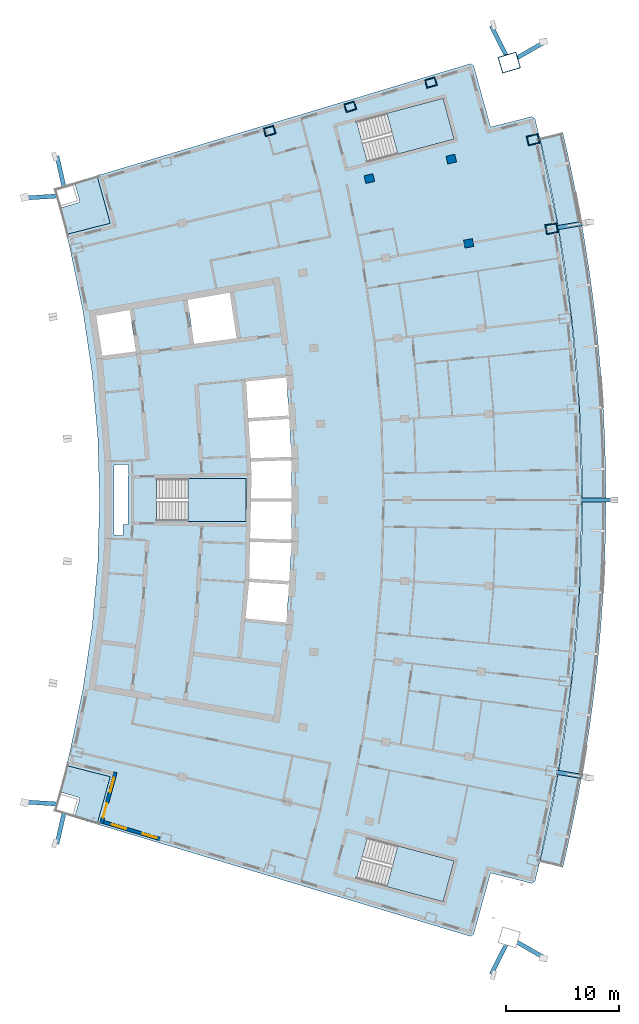
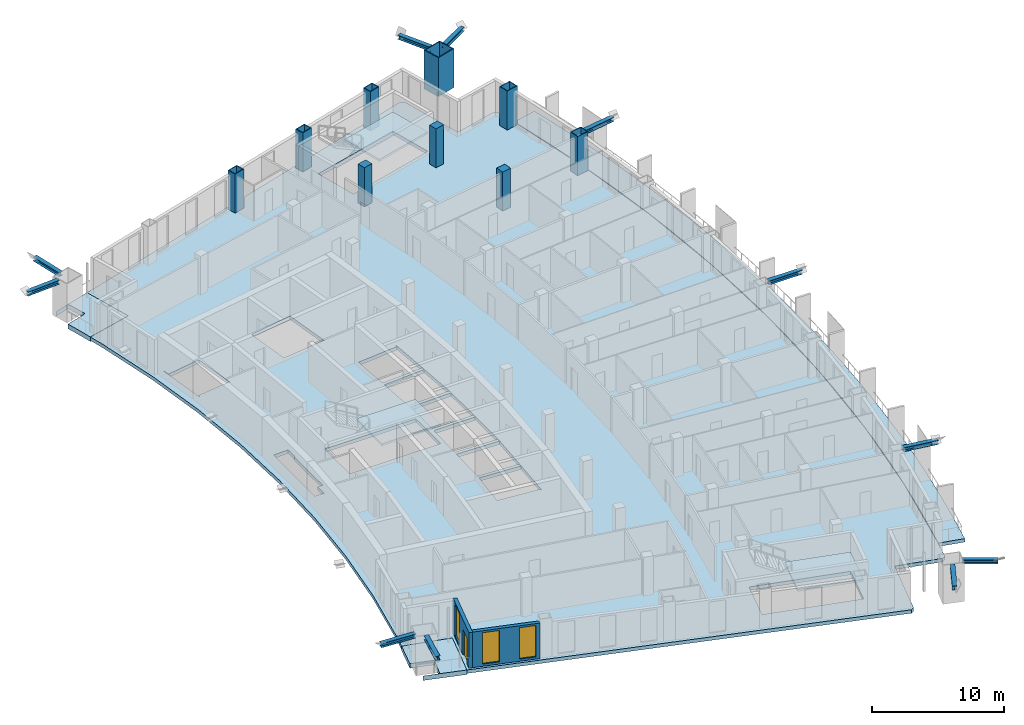
# One storey, part 8 of 21: 11 members, 9 columns, 7 slabs, 3 windows, 2 walls, 1 door, 4 openings, 3 elements without a shape of their own.
"""IFC4 building model written with IfcOpenShell, lengths in metres."""

import ifcopenshell
import ifcopenshell.guid

model = None  # the IFC model being written
_history = None  # IfcOwnerHistory: only IFC2X3 demands one
_inside = {}  # id of a spatial element -> (the spatial element, [elements in it])
_under = {}  # id of a project, library or spatial element -> (it, [spatial elements below it])
_declared = {}  # id of a project -> (the project, [libraries it declares])
_typed = {}  # id of a type object -> (the type object, [elements of that type])
_made_of = {}  # id of a material, layer set ... -> (it, [elements and type objects made of it])


def new_model(schema):
    """Start an empty IFC model of exactly this schema.

    Asked for "IFC4X3", IfcOpenShell would pick the latest addendum, in which some entities
    have other attributes; the version numbers below select the first issue.
    IFC2X3 requires an IfcOwnerHistory on every rooted entity: one is made here for all.
    """
    global model, _history
    if schema == "IFC4X3":
        model = ifcopenshell.file(schema_version=(4, 3, 0, 0))
    else:
        model = ifcopenshell.file(schema=schema)
    _inside.clear()
    _under.clear()
    _declared.clear()
    _typed.clear()
    _made_of.clear()
    _history = None
    if model.schema == "IFC2X3":
        org = make("IfcOrganization", Name="unknown")
        user = make(
            "IfcPersonAndOrganization",
            ThePerson=make("IfcPerson", FamilyName="unknown"),
            TheOrganization=org,
        )
        app = make(
            "IfcApplication",
            ApplicationDeveloper=org,
            Version="unknown",
            ApplicationFullName="unknown",
            ApplicationIdentifier="unknown",
        )
        _history = make(
            "IfcOwnerHistory",
            OwningUser=user,
            OwningApplication=app,
            ChangeAction="ADDED",
            CreationDate=0,
        )
    return model


def make(cls, **values):
    """One entity of the class cls with the attributes given. An attribute that is None is left unset."""
    return model.create_entity(
        cls, **{name: value for name, value in values.items() if value is not None}
    )


def rooted(cls, **values):
    """An entity with a GlobalId (a new one), such as an element, a storey or a relation."""
    return make(cls, GlobalId=ifcopenshell.guid.new(), OwnerHistory=_history, **values)


def si_unit(unit_type, name, prefix=None):
    """IfcSIUnit, for example si_unit("LENGTHUNIT", "METRE", prefix="MILLI")."""
    return make("IfcSIUnit", UnitType=unit_type, Prefix=prefix, Name=name)


def assignment(units):
    """IfcUnitAssignment: the units of a project."""
    return None if units is None else make("IfcUnitAssignment", Units=units)


def point(xyz):
    """IfcCartesianPoint."""
    return None if xyz is None else make("IfcCartesianPoint", Coordinates=xyz)


def direction(xyz):
    """IfcDirection."""
    return None if xyz is None else make("IfcDirection", DirectionRatios=xyz)


def frame(location, z_axis=None, x_axis=None):
    """IfcAxis2Placement3D, a coordinate frame: its origin and axes. An axis left out is left unset."""
    return make(
        "IfcAxis2Placement3D",
        Location=point(location),
        Axis=direction(z_axis),
        RefDirection=direction(x_axis),
    )


def frame_2d(location, x_axis=None):
    """IfcAxis2Placement2D, a coordinate frame in the plane: its origin and x axis."""
    return make(
        "IfcAxis2Placement2D", Location=point(location), RefDirection=direction(x_axis)
    )


def origin():
    """The frame at (0, 0, 0) with its axes left unset."""
    return frame((0.0, 0.0, 0.0))


def origin_2d():
    """The frame at (0, 0) in the plane with its x axis left unset."""
    return frame_2d((0.0, 0.0))


def place(relative_to, where):
    """IfcLocalPlacement: puts the frame where relative to a parent placement (None: the world)."""
    return make(
        "IfcLocalPlacement", PlacementRelTo=relative_to, RelativePlacement=where
    )


def context(
    kind, dimensions, precision=None, world=None, true_north=None, identifier=None
):
    """IfcGeometricRepresentationContext, for example the 3D "Model" context."""
    return make(
        "IfcGeometricRepresentationContext",
        ContextIdentifier=identifier,
        ContextType=kind,
        CoordinateSpaceDimension=dimensions,
        Precision=precision,
        WorldCoordinateSystem=world,
        TrueNorth=true_north,
    )


def subcontext(parent, identifier, kind, view, scale=None):
    """IfcGeometricRepresentationSubContext, for example "Body" below "Model"."""
    return make(
        "IfcGeometricRepresentationSubContext",
        ContextIdentifier=identifier,
        ContextType=kind,
        ParentContext=parent,
        TargetScale=scale,
        TargetView=view,
    )


def project(units=None, contexts=None):
    """IfcProject with its units and contexts."""
    return rooted(
        "IfcProject",
        Name="project",
        RepresentationContexts=contexts,
        UnitsInContext=assignment(units),
    )


def spatial(cls, under=None, at=None, **own):
    """A site, building, storey or space (cls), placed at a placement, below another one or the project."""
    s = rooted(cls, ObjectPlacement=at, **own)
    if under is not None:
        _under.setdefault(under.id(), (under, []))[1].append(s)
    return s


def polyline(points):
    """IfcPolyline through the points."""
    return make("IfcPolyline", Points=[point(p) for p in points])


def profile(cls, at=None, kind="AREA", **sizes):
    """A parametric profile (cls). Its sizes go by their IFC names, for example OverallWidth=200.0."""
    return make(cls, ProfileType=kind, Position=at, **sizes)


def rectangle(**sizes):
    """IfcRectangleProfileDef."""
    return profile("IfcRectangleProfileDef", **sizes)


def hollow_rectangle(**sizes):
    """IfcRectangleHollowProfileDef."""
    return profile("IfcRectangleHollowProfileDef", **sizes)


def i_section(**sizes):
    """IfcIShapeProfileDef."""
    return profile("IfcIShapeProfileDef", **sizes)


def outline(outer, holes=None, kind="AREA"):
    """IfcArbitraryClosedProfileDef: a profile drawn as a closed curve; with holes, ...WithVoids."""
    if holes is None:
        return make("IfcArbitraryClosedProfileDef", ProfileType=kind, OuterCurve=outer)
    return make(
        "IfcArbitraryProfileDefWithVoids",
        ProfileType=kind,
        OuterCurve=outer,
        InnerCurves=holes,
    )


def extrude(swept, where, along, depth):
    """IfcExtrudedAreaSolid: the profile swept, set in the frame where, extruded along a direction by depth."""
    return make(
        "IfcExtrudedAreaSolid",
        SweptArea=swept,
        Position=where,
        ExtrudedDirection=direction(along),
        Depth=depth,
    )


def shape(context_of_items, identifier, shape_type, items):
    """IfcShapeRepresentation: the items that make up one representation, for example the "Body"."""
    return make(
        "IfcShapeRepresentation",
        ContextOfItems=context_of_items,
        RepresentationIdentifier=identifier,
        RepresentationType=shape_type,
        Items=items,
    )


def material(Name=None, Category=None):
    """IfcMaterial."""
    return make("IfcMaterial", Name=Name, Category=Category)


def layer(
    of_material, thickness, ventilated=None, Name=None, Category=None, Priority=None
):
    """IfcMaterialLayer: one layer of a wall or slab, of a material (None: an air gap)."""
    return make(
        "IfcMaterialLayer",
        Material=of_material,
        LayerThickness=thickness,
        IsVentilated=ventilated,
        Name=Name,
        Category=Category,
        Priority=Priority,
    )


def layer_set(layers, Name=None):
    """IfcMaterialLayerSet."""
    return make("IfcMaterialLayerSet", MaterialLayers=layers, LayerSetName=Name)


def material_profile(
    of_material, cross_section, Name=None, Category=None, Priority=None
):
    """IfcMaterialProfile: a cross section and its material."""
    return make(
        "IfcMaterialProfile",
        Name=Name,
        Material=of_material,
        Profile=cross_section,
        Priority=Priority,
        Category=Category,
    )


def profile_set(profiles, Name=None, composite=None):
    """IfcMaterialProfileSet."""
    return make(
        "IfcMaterialProfileSet",
        Name=Name,
        MaterialProfiles=profiles,
        CompositeProfile=composite,
    )


def made_of(thing, what):
    """Note that an element or type object is made of a material, layer set ...; save() writes the relation."""
    if what is not None:
        _made_of.setdefault(what.id(), (what, []))[1].append(thing)
    return thing


def type_object(cls, material=None, **own):
    """A type object (cls), such as IfcWallType, which elements share."""
    return made_of(rooted(cls, **own), material)


def element(
    cls,
    number,
    at=None,
    inside=None,
    cuts=None,
    type_object=None,
    material=None,
    context=None,
    identifier="Body",
    shape_type=None,
    held_by="IfcProductDefinitionShape",
    body=None,
    shapes=None,
    **own,
):
    """One element of the class cls, such as IfcWall. Its Tag is "e" and its number.

    at: its placement. inside: the storey or other place that contains it. cuts: it is an
    opening in that element (IfcRelVoidsElement). A single representation is given by context,
    identifier, shape_type and body (its items); several are given by shapes. held_by: the class
    of the entity that holds the representations. save() writes the other relations.
    """
    e = rooted(cls, Tag="e%d" % number, ObjectPlacement=at, **own)
    if body is not None:
        shapes = [shape(context, identifier, shape_type, body)]
    if shapes is not None:
        e.Representation = make(held_by, Representations=shapes)
    if inside is not None:
        _inside.setdefault(inside.id(), (inside, []))[1].append(e)
    if cuts is not None:
        rooted(
            "IfcRelVoidsElement", RelatingBuildingElement=cuts, RelatedOpeningElement=e
        )
    if type_object is not None:
        _typed.setdefault(type_object.id(), (type_object, []))[1].append(e)
    return made_of(e, material)


def fill(opening, filler):
    """IfcRelFillsElement: the door or window that sits in an opening."""
    return rooted(
        "IfcRelFillsElement",
        RelatingOpeningElement=opening,
        RelatedBuildingElement=filler,
    )


def aggregate(whole, parts):
    """IfcRelAggregates: a whole, such as a stair, and the parts it consists of."""
    return rooted("IfcRelAggregates", RelatingObject=whole, RelatedObjects=parts)


def save(model, path):
    """Write the relations noted so far, then the file.

    IfcRelAggregates (storeys below a building ...), IfcRelContainedInSpatialStructure (elements
    in a storey), IfcRelDefinesByType, IfcRelAssociatesMaterial and IfcRelDeclares: one each for
    every whole, place, type object, material and project.
    """
    for whole, parts in _under.values():
        aggregate(whole, parts)
    for where, things in _inside.values():
        rooted(
            "IfcRelContainedInSpatialStructure",
            RelatedElements=things,
            RelatingStructure=where,
        )
    for kind, things in _typed.values():
        rooted("IfcRelDefinesByType", RelatedObjects=things, RelatingType=kind)
    for what, things in _made_of.values():
        rooted("IfcRelAssociatesMaterial", RelatedObjects=things, RelatingMaterial=what)
    for by, libraries in _declared.values():
        rooted("IfcRelDeclares", RelatingContext=by, RelatedDefinitions=libraries)
    model.write(path)


model = new_model("IFC4")

# Units and contexts
model_context = context("Model", 3, precision=1e-05, world=origin(), true_north=direction((0.0, 1.0)))
body_context = subcontext(model_context, "Body", "Model", "MODEL_VIEW")
ifc_project = project(units=[si_unit("LENGTHUNIT", "METRE"), si_unit("AREAUNIT", "SQUARE_METRE"), si_unit("VOLUMEUNIT", "CUBIC_METRE"), si_unit("PLANEANGLEUNIT", "RADIAN"), si_unit("MASSUNIT", "GRAM", prefix="KILO")], contexts=[model_context])

# Site, building, storey
site_placement = place(None, origin())
site = spatial("IfcSite", under=ifc_project, at=site_placement, CompositionType="ELEMENT")
building_placement = place(site_placement, origin())
building = spatial("IfcBuilding", under=site, at=building_placement, Name="Alderwake Tower", CompositionType="ELEMENT")
storey_placement = place(building_placement, frame((0.0, 0.0, 207.199951171875)))
storey = spatial("IfcBuildingStorey", under=building, at=storey_placement, Name="L51", CompositionType="ELEMENT", Elevation=207.199951171875)

# Columns
ifc_material_1 = material(Name="Steel ASTM A572 Grade 50 concrete filled C70/85", Category="concrete")
ifc_material_profile_1 = material_profile(ifc_material_1, hollow_rectangle(XDim=0.75, YDim=0.949951171875, WallThickness=0.054931640625, at=origin_2d()), Name="BOX 950X750X55")
ifc_profile_set_1 = profile_set([ifc_material_profile_1], Name="Steel ASTM A572 Grade 50 concrete filled C70/85")
column_type_1 = type_object("IfcColumnType", Name="End column Z4", PredefinedType="COLUMN", material=ifc_profile_set_1)
for number, where, z_axis, x_axis, name in (
    (1, (31.080322265625, 93.72314453125, 0.0), (0.0, 0.0, 1.0), (-0.282582549822, 0.959242984095, 0.0), "Column R12-C2"),
    (2, (38.231689453125, 95.8701171875, 0.0), (0.0, 0.0, 1.0), (-0.282883890943, 0.959154160834, 0.0), "Column R12-C3"),
    (3, (45.383056640625, 98.01708984375, 0.0), (0.0, 0.0, 1.0), (-0.283150052378, 0.959075621543, 0.0), "Column R12-C4"),
):
    element("IfcColumn", number, at=place(storey_placement, frame(where, z_axis=z_axis, x_axis=x_axis)), inside=storey, type_object=column_type_1, Name=name, PredefinedType="COLUMN", context=body_context, shape_type="SweptSolid", body=[
        extrude(hollow_rectangle(XDim=0.75, YDim=0.949951171875, WallThickness=0.054931640625, at=origin_2d()), origin(), (0.0, 0.0, 1.0), 3.60009765625),
    ])
ifc_material_2 = material(Name="Concrete C70/85", Category="concrete")
ifc_material_profile_2 = material_profile(ifc_material_2, rectangle(XDim=0.699951171875, YDim=0.800048828125, at=origin_2d()), Name="RC 800X700")
ifc_profile_set_2 = profile_set([ifc_material_profile_2], Name="Concrete C70/85")
column_type_2 = type_object("IfcColumnType", Name="Interior column Z4", PredefinedType="COLUMN", material=ifc_profile_set_2)
for number, where, z_axis, x_axis, name in (
    (4, (48.736572265625, 83.76171875, 0.0), (0.0, 0.0, 1.0), (-0.174107082075, 0.984726725529, 0.0), "Column R10-C4"),
    (5, (39.92626953125, 89.501953125, 0.0), (0.0, 0.0, 1.0), (-0.231221547198, 0.972901123502, 0.0), "Column R11-C3"),
    (6, (47.190673828125, 91.228515625, 0.0), (0.0, 0.0, 1.0), (-0.231221547198, 0.972901123502, 0.0), "Column R11-C4"),
):
    element("IfcColumn", number, at=place(storey_placement, frame(where, z_axis=z_axis, x_axis=x_axis)), inside=storey, type_object=column_type_2, Name=name, PredefinedType="COLUMN", context=body_context, shape_type="SweptSolid", body=[
        extrude(rectangle(XDim=0.699951171875, YDim=0.800048828125, at=origin_2d()), origin(), (0.0, 0.0, 1.0), 3.60009765625),
    ])
ifc_material_3 = material(Name="Steel ASTM A572 Grade 50 concrete filled C70/85", Category="concrete")
ifc_material_profile_3 = material_profile(ifc_material_3, hollow_rectangle(XDim=1.5, YDim=1.699951171875, WallThickness=0.074951171875, at=origin_2d()), Name="BOX 1700X1500X75")
ifc_profile_set_3 = profile_set([ifc_material_profile_3], Name="Steel ASTM A572 Grade 50 concrete filled C70/85")
column_type_3 = type_object("IfcColumnType", Name="Mega column Z4", PredefinedType="COLUMN", material=ifc_profile_set_3)
column_placement = place(storey_placement, frame((52.331298828125, 99.7919921875, 0.0), z_axis=(0.0, 0.0, 1.0), x_axis=(-0.281304888972, 0.959618444717, 0.0)))
element("IfcColumn", 7, at=column_placement, inside=storey, type_object=column_type_3, Name="Column R12-C5", PredefinedType="COLUMN", context=body_context, shape_type="SweptSolid", body=[
    extrude(hollow_rectangle(XDim=1.5, YDim=1.699951171875, WallThickness=0.074951171875, at=origin_2d()), origin(), (0.0, 0.0, 1.0), 3.60009765625),
])
ifc_material_4 = material(Name="Steel ASTM A572 Grade 50 concrete filled C70/85", Category="concrete")
ifc_material_profile_4 = material_profile(ifc_material_4, hollow_rectangle(XDim=0.85009765625, YDim=1.050048828125, WallThickness=0.054931640625, at=origin_2d()), Name="BOX 1050X850X55")
ifc_profile_set_4 = profile_set([ifc_material_profile_4], Name="Steel ASTM A572 Grade 50 concrete filled C70/85")
column_type_4 = type_object("IfcColumnType", Name="Perimeter column Z4", PredefinedType="COLUMN", material=ifc_profile_set_4)
for number, where, z_axis, x_axis, name in (
    (8, (56.089111328125, 85.061767578125, 0.0), (0.0, 0.0, 1.0), (-0.174107082075, 0.984726725529, 0.0), "Column R10-C5"),
    (9, (54.454833984375, 92.954833984375, 0.0), (0.0, 0.0, 1.0), (-0.231221547198, 0.972901123502, 0.0), "Column R11-C5"),
):
    element("IfcColumn", number, at=place(storey_placement, frame(where, z_axis=z_axis, x_axis=x_axis)), inside=storey, type_object=column_type_4, Name=name, PredefinedType="COLUMN", context=body_context, shape_type="SweptSolid", body=[
        extrude(hollow_rectangle(XDim=0.85009765625, YDim=1.050048828125, WallThickness=0.054931640625, at=origin_2d()), origin(), (0.0, 0.0, 1.0), 3.60009765625),
    ])

# Members
ifc_material_5 = material(Name="Steel ASTM A992 Grade 50", Category="steel")
ifc_material_profile_5 = material_profile(ifc_material_5, i_section(OverallWidth=0.3740234375, OverallDepth=0.372314453125, WebThickness=0.016357421875, FlangeThickness=0.026123046875, at=origin_2d()), Name="W14X132")
ifc_profile_set_5 = profile_set([ifc_material_profile_5], Name="Steel ASTM A992 Grade 50")
member_type = type_object("IfcMemberType", Name="Brace node stub W14X132", PredefinedType="MEMBER", material=ifc_profile_set_5)
member_1_placement = place(storey_placement, frame((56.556884765625, 36.855712890625, 3.393798828125), z_axis=(0.98591447773, -0.167250239467, 0.0), x_axis=(0.167250239467, 0.98591447773, 0.0)))
element("IfcMember", 10, at=member_1_placement, inside=storey, type_object=member_type, Name="Brace node stub BS.FR04-C5.2108", PredefinedType="MEMBER", context=body_context, shape_type="SweptSolid", body=[
    extrude(i_section(OverallWidth=0.3740234375, OverallDepth=0.372314453125, WebThickness=0.016357421875, FlangeThickness=0.026123046875, at=origin_2d()), origin(), (0.0, 0.0, 1.0), 2.80419921875),
])
member_2_placement = place(storey_placement, frame((53.040283203125, 21.776123046875, 3.393798828125), z_axis=(0.868337585649, -0.49597362566, 0.0), x_axis=(0.49597362566, 0.868337585649, 0.0)))
element("IfcMember", 11, at=member_2_placement, inside=storey, type_object=member_type, Name="Brace node stub BS.FR02-C5.2108", PredefinedType="MEMBER", context=body_context, shape_type="SweptSolid", body=[
    extrude(i_section(OverallWidth=0.3740234375, OverallDepth=0.372314453125, WebThickness=0.016357421875, FlangeThickness=0.026123046875, at=origin_2d()), origin(), (0.0, 0.0, 1.0), 2.703857421875),
])
member_3_placement = place(storey_placement, frame((58.675048828125, 61.0, 3.393798828125), z_axis=(1.0, 0.0, 0.0), x_axis=(0.0, 1.0, 0.0)))
element("IfcMember", 12, at=member_3_placement, inside=storey, type_object=member_type, Name="Brace node stub BS.FR07-C5.2108", PredefinedType="MEMBER", context=body_context, shape_type="SweptSolid", body=[
    extrude(i_section(OverallWidth=0.3740234375, OverallDepth=0.372314453125, WebThickness=0.016357421875, FlangeThickness=0.026123046875, at=origin_2d()), origin(), (0.0, 0.0, 1.0), 2.9482421875),
])
member_4_placement = place(storey_placement, frame((56.556884765625, 85.144287109375, 3.393798828125), z_axis=(0.98591447773, 0.167250239467, 0.0), x_axis=(-0.167250239467, 0.98591447773, 0.0)))
element("IfcMember", 13, at=member_4_placement, inside=storey, type_object=member_type, Name="Brace node stub BS.FR10-C5.2108", PredefinedType="MEMBER", context=body_context, shape_type="SweptSolid", body=[
    extrude(i_section(OverallWidth=0.3740234375, OverallDepth=0.372314453125, WebThickness=0.016357421875, FlangeThickness=0.026123046875, at=origin_2d()), origin(), (0.0, 0.0, 1.0), 2.80419921875),
])
member_5_placement = place(storey_placement, frame((53.040283203125, 100.223876953125, 3.393798828125), z_axis=(0.868337585649, 0.49597362566, 0.0), x_axis=(-0.49597362566, 0.868337585649, 0.0)))
element("IfcMember", 14, at=member_5_placement, inside=storey, type_object=member_type, Name="Brace node stub BS.FR12-C5.2108", PredefinedType="MEMBER", context=body_context, shape_type="SweptSolid", body=[
    extrude(i_section(OverallWidth=0.3740234375, OverallDepth=0.372314453125, WebThickness=0.016357421875, FlangeThickness=0.026123046875, at=origin_2d()), origin(), (0.0, 0.0, 1.0), 2.703857421875),
])
for number, where, z_axis, x_axis, name in (
    (15, (12.239501953125, 34.0400390625, 3.393798828125), (-0.997989599771, 0.063377904267, 0.0), (-0.063377904267, -0.997989599771, 0.0), "Brace node stub BS.RR02-C0.2108"),
    (16, (12.239501953125, 87.9599609375, 3.393798828125), (-0.997989599771, -0.063377904267, 0.0), (0.063377904267, -0.997989599771, 0.0), "Brace node stub BS.RR12-C0.2108"),
):
    element("IfcMember", number, at=place(storey_placement, frame(where, z_axis=z_axis, x_axis=x_axis)), inside=storey, type_object=member_type, Name=name, PredefinedType="MEMBER", context=body_context, shape_type="SweptSolid", body=[
        extrude(i_section(OverallWidth=0.3740234375, OverallDepth=0.372314453125, WebThickness=0.016357421875, FlangeThickness=0.026123046875, at=origin_2d()), origin(), (0.0, 0.0, 1.0), 2.873779296875),
    ])
member_6_placement = place(storey_placement, frame((52.055908203125, 21.55908203125, 3.393798828125), z_axis=(-0.450363694744, -0.892845195124, 0.0), x_axis=(0.892845195124, -0.450363694744, 0.0)))
element("IfcMember", 17, at=member_6_placement, inside=storey, type_object=member_type, Name="Brace node stub BS.SR02-C5.2108", PredefinedType="MEMBER", context=body_context, shape_type="SweptSolid", body=[
    extrude(i_section(OverallWidth=0.3740234375, OverallDepth=0.372314453125, WebThickness=0.016357421875, FlangeThickness=0.026123046875, at=origin_2d()), origin(), (0.0, 0.0, 1.0), 2.9423828125),
])
member_7_placement = place(storey_placement, frame((12.862548828125, 33.331787109375, 3.393798828125), z_axis=(-0.220739820161, -0.975332728762, 0.0), x_axis=(0.975332728762, -0.220739820161, 0.0)))
element("IfcMember", 18, at=member_7_placement, inside=storey, type_object=member_type, Name="Brace node stub BS.SR02-C0.2108", PredefinedType="MEMBER", context=body_context, shape_type="SweptSolid", body=[
    extrude(i_section(OverallWidth=0.3740234375, OverallDepth=0.372314453125, WebThickness=0.016357421875, FlangeThickness=0.026123046875, at=origin_2d()), origin(), (0.0, 0.0, 1.0), 2.909912109375),
])
member_8_placement = place(storey_placement, frame((52.055908203125, 100.44091796875, 3.393798828125), z_axis=(-0.450363694744, 0.892845195124, 0.0), x_axis=(-0.892845195124, -0.450363694744, 0.0)))
element("IfcMember", 19, at=member_8_placement, inside=storey, type_object=member_type, Name="Brace node stub BS.NR12-C5.2108", PredefinedType="MEMBER", context=body_context, shape_type="SweptSolid", body=[
    extrude(i_section(OverallWidth=0.3740234375, OverallDepth=0.372314453125, WebThickness=0.016357421875, FlangeThickness=0.026123046875, at=origin_2d()), origin(), (0.0, 0.0, 1.0), 2.9423828125),
])
member_9_placement = place(storey_placement, frame((12.862548828125, 88.668212890625, 3.393798828125), z_axis=(-0.220739820161, 0.975332728762, 0.0), x_axis=(-0.975332728762, -0.220739820161, 0.0)))
element("IfcMember", 20, at=member_9_placement, inside=storey, type_object=member_type, Name="Brace node stub BS.NR12-C0.2108", PredefinedType="MEMBER", context=body_context, shape_type="SweptSolid", body=[
    extrude(i_section(OverallWidth=0.3740234375, OverallDepth=0.372314453125, WebThickness=0.016357421875, FlangeThickness=0.026123046875, at=origin_2d()), origin(), (0.0, 0.0, 1.0), 2.909912109375),
])

# Slabs
ifc_material_6 = material(Name="Concrete C50/60", Category="concrete")
ifc_layer_1 = layer(ifc_material_6, 0.320068359375)
ifc_layer_set_1 = layer_set([ifc_layer_1], Name="Balcony slab 320")
slab_type_1 = type_object("IfcSlabType", Name="Balcony slab 320", PredefinedType="FLOOR", material=ifc_layer_set_1)
slab_1_placement = place(storey_placement, frame((0.0, 0.0, -0.320068359375)))
element("IfcSlab", 21, at=slab_1_placement, inside=storey, type_object=slab_type_1, Name="Balcony BF03", PredefinedType="FLOOR", context=body_context, shape_type="SweptSolid", body=[
    extrude(outline(polyline([(57.081787109375, 28.4208984375), (57.542236328125, 30.42333984375), (57.973388671875, 32.432373046875), (58.37548828125, 34.447509765625), (58.748046875, 36.46826171875), (59.091064453125, 38.494140625), (59.404296875, 40.52490234375), (59.68798828125, 42.559814453125), (59.942138671875, 44.598876953125), (60.16650390625, 46.641357421875), (60.361083984375, 48.68701171875), (60.525634765625, 50.735107421875), (60.660400390625, 52.785400390625), (60.76513671875, 54.837646484375), (60.840087890625, 56.89111328125), (60.885009765625, 58.9453125), (60.89990234375, 61.0), (60.885009765625, 63.0546875), (60.840087890625, 65.10888671875), (60.76513671875, 67.162353515625), (60.660400390625, 69.214599609375), (60.525634765625, 71.264892578125), (60.361083984375, 73.31298828125), (60.16650390625, 75.358642578125), (59.942138671875, 77.401123046875), (59.68798828125, 79.440185546875), (59.404296875, 81.47509765625), (59.091064453125, 83.505859375), (58.748046875, 85.53173828125), (58.37548828125, 87.552490234375), (57.973388671875, 89.567626953125), (57.542236328125, 91.57666015625), (57.081787109375, 93.5791015625), (55.038818359375, 93.093505859375), (55.4921875, 91.120849609375), (55.917236328125, 89.141845703125), (56.31298828125, 87.15673828125), (56.679931640625, 85.166259765625), (57.017822265625, 83.17041015625), (57.32666015625, 81.169921875), (57.606201171875, 79.165283203125), (57.8564453125, 77.156494140625), (58.077392578125, 75.14453125), (58.26904296875, 73.12939453125), (58.43115234375, 71.11181640625), (58.56396484375, 69.092041015625), (58.667236328125, 67.070556640625), (58.740966796875, 65.0478515625), (58.78515625, 63.024169921875), (58.800048828125, 61.0), (58.78515625, 58.975830078125), (58.740966796875, 56.9521484375), (58.667236328125, 54.929443359375), (58.56396484375, 52.907958984375), (58.43115234375, 50.88818359375), (58.26904296875, 48.87060546875), (58.077392578125, 46.85546875), (57.8564453125, 44.843505859375), (57.606201171875, 42.834716796875), (57.32666015625, 40.830078125), (57.017822265625, 38.82958984375), (56.679931640625, 36.833740234375), (56.31298828125, 34.84326171875), (55.917236328125, 32.858154296875), (55.4921875, 30.879150390625), (55.038818359375, 28.906494140625), (57.081787109375, 28.4208984375)])), origin(), (0.0, 0.0, 1.0), 0.320068359375),
])
ifc_material_7 = material(Name="Concrete C50/60", Category="concrete")
ifc_layer_2 = layer(ifc_material_7, 0.320068359375)
ifc_layer_set_2 = layer_set([ifc_layer_2], Name="Concrete C50/60 post-tensioned flat plate 320")
slab_type_2 = type_object("IfcSlabType", Name="Concrete C50/60 post-tensioned flat plate 320", PredefinedType="FLOOR", material=ifc_layer_set_2)
slab_2_placement = place(storey_placement, frame((0.0, 0.0, -0.320068359375)))
element("IfcSlab", 22, at=slab_2_placement, inside=storey, type_object=slab_type_2, Name="Floor slab L51", PredefinedType="FLOOR", context=body_context, shape_type="SweptSolid", body=[
    extrude(outline(polyline([(13.06494140625, 37.443115234375), (13.3984375, 38.802734375), (14.53369140625, 44.28564453125), (15.347412109375, 49.825439453125), (15.836669921875, 55.4033203125), (16.0, 61.0), (15.836669921875, 66.5966796875), (15.347412109375, 72.174560546875), (14.53369140625, 77.71435546875), (13.3984375, 83.197265625), (13.06494140625, 84.556884765625), (16.942626953125, 85.53857421875), (15.776611328125, 89.7548828125), (48.88671875, 99.695556640625), (49.168212890625, 99.539794921875), (50.6787109375, 94.077880859375), (54.333251953125, 95.0029296875), (54.611083984375, 94.8359375), (55.038818359375, 93.093505859375), (56.679931640625, 85.166259765625), (57.8564453125, 77.156494140625), (58.56396484375, 69.092041015625), (58.800048828125, 61.0), (58.56396484375, 52.907958984375), (57.8564453125, 44.843505859375), (56.679931640625, 36.833740234375), (55.038818359375, 28.906494140625), (54.611083984375, 27.1640625), (54.333251953125, 26.9970703125), (50.6787109375, 27.922119140625), (49.168212890625, 22.460205078125), (48.88671875, 22.304443359375), (15.776611328125, 32.2451171875), (16.942626953125, 36.46142578125), (13.06494140625, 37.443115234375)]), holes=[polyline([(29.25732421875, 53.7685546875), (28.939697265625, 50.49072265625), (32.546875, 50.1376953125), (32.5322265625, 49.988525390625), (32.562255859375, 49.985595703125), (32.80126953125, 53.654541015625), (33.0400390625, 57.323486328125), (33.0400390625, 61.0), (33.0400390625, 64.676513671875), (32.80126953125, 68.345458984375), (32.562255859375, 72.014404296875), (32.532470703125, 72.011474609375), (32.547119140625, 71.8623046875), (28.886962890625, 71.50390625), (28.88720703125, 71.50048828125), (28.99462890625, 71.506591796875), (29.184814453125, 68.26025390625), (32.761474609375, 68.4931640625), (32.771240234375, 68.343505859375), (32.781005859375, 68.19384765625), (29.2021484375, 67.960693359375), (29.392578125, 64.7080078125), (33.005126953125, 64.82568359375), (33.010009765625, 64.67578125), (33.014892578125, 64.525634765625), (29.41015625, 64.408447265625), (29.4765625, 63.27685546875), (29.429443359375, 61.14990234375), (33.010009765625, 61.14990234375), (33.010009765625, 61.0), (33.010009765625, 60.85009765625), (29.4228515625, 60.85009765625), (29.350830078125, 57.593505859375), (33.014892578125, 57.474365234375), (33.010009765625, 57.32421875), (33.005126953125, 57.17431640625), (29.34423828125, 57.29345703125), (29.2705078125, 53.9697265625), (29.274169921875, 53.969482421875), (29.2783203125, 54.0341796875), (32.781005859375, 53.80615234375), (32.771240234375, 53.656494140625), (32.761474609375, 53.5068359375), (29.2587890625, 53.73486328125), (29.260986328125, 53.768310546875), (29.25732421875, 53.7685546875)]), polyline([(21.050048828125, 62.875), (21.050048828125, 59.125), (29.0, 59.125), (29.0, 62.875), (21.050048828125, 62.875)]), polyline([(15.64111328125, 77.91015625), (15.487060546875, 77.8828125), (15.487548828125, 77.879150390625), (15.617919921875, 77.899169921875), (16.280029296875, 73.5927734375), (16.31005859375, 73.5966796875), (16.2841796875, 73.794921875), (19.224853515625, 74.1796875), (18.673095703125, 77.842041015625), (18.869140625, 77.87158203125), (18.8671875, 77.8837890625), (15.740234375, 77.340087890625), (15.64111328125, 77.91015625)]), polyline([(27.538330078125, 79.39111328125), (23.794921875, 78.740478515625), (24.384033203125, 74.8583984375), (24.36865234375, 74.856201171875), (24.369140625, 74.8525390625), (28.152587890625, 75.347412109375), (27.538330078125, 79.39111328125)]), polyline([(47.436279296875, 28.996826171875), (39.754150390625, 31.043212890625), (38.7890625, 27.41943359375), (46.47119140625, 25.373291015625), (47.436279296875, 28.996826171875)]), polyline([(46.47119140625, 96.626708984375), (38.7890625, 94.58056640625), (39.754150390625, 90.956787109375), (47.436279296875, 93.003173828125), (46.47119140625, 96.626708984375)]), polyline([(17.289306640625, 64.118408203125), (17.289306640625, 57.881591796875), (18.06298828125, 57.85400390625), (18.090576171875, 58.84375), (18.544189453125, 58.831298828125), (18.529296875, 58.8681640625), (18.5234375, 58.891845703125), (18.5185546875, 58.940673828125), (18.5185546875, 63.060302734375), (18.5234375, 63.109130859375), (18.53759765625, 63.156005859375), (18.560791015625, 63.19921875), (18.588623046875, 63.2333984375), (18.562744140625, 64.16357421875), (17.289306640625, 64.118408203125)])]), origin(), (0.0, 0.0, 1.0), 0.320068359375),
])

# Stair, slab
ifc_material_8 = material(Name="Concrete C40/50", Category="concrete")
stair_type = type_object("IfcStairType", Name="Core exit stair", PredefinedType="HALF_TURN_STAIR", material=ifc_material_8)
stair_1_placement = place(storey_placement, origin())
stair_1 = element("IfcStair", 23, at=stair_1_placement, inside=storey, type_object=stair_type, Name="L51 Exit Stair B", PredefinedType="HALF_TURN_STAIR")
ifc_material_9 = material(Name="Concrete C40/50", Category="concrete")
ifc_layer_3 = layer(ifc_material_9, 0.199951171875)
ifc_layer_set_3 = layer_set([ifc_layer_3], Name="Core stair landing 200")
slab_type_3 = type_object("IfcSlabType", Name="Core stair landing 200", PredefinedType="LANDING", material=ifc_layer_set_3)
slab_3_placement = place(storey_placement, frame((0.0, 0.0, 1.60009765625)))
slab_3 = element("IfcSlab", 24, at=slab_3_placement, type_object=slab_type_3, Name="ST-B landing 1", PredefinedType="LANDING", context=body_context, shape_type="SweptSolid", body=[
    extrude(outline(polyline([(23.830078125, 59.074951171875), (29.0, 59.074951171875), (29.0, 62.925048828125), (23.830078125, 62.925048828125), (23.830078125, 59.074951171875)])), origin(), (0.0, 0.0, 1.0), 0.199951171875),
])
aggregate(stair_1, [slab_3])

stair_2_placement = place(storey_placement, origin())
stair_2 = element("IfcStair", 25, at=stair_2_placement, inside=storey, type_object=stair_type, Name="L51 Exit Stair A", PredefinedType="HALF_TURN_STAIR")
slab_4_placement = place(storey_placement, frame((0.0, 0.0, 1.60009765625)))
slab_4 = element("IfcSlab", 26, at=slab_4_placement, type_object=slab_type_3, Name="ST-A landing 1", PredefinedType="LANDING", context=body_context, shape_type="SweptSolid", body=[
    extrude(outline(polyline([(42.440673828125, 91.67236328125), (47.436279296875, 93.003173828125), (46.47119140625, 96.626708984375), (41.475341796875, 95.296142578125), (42.440673828125, 91.67236328125)])), origin(), (0.0, 0.0, 1.0), 0.199951171875),
])
aggregate(stair_2, [slab_4])

stair_3_placement = place(storey_placement, origin())
stair_3 = element("IfcStair", 27, at=stair_3_placement, inside=storey, type_object=stair_type, Name="L51 Exit Stair C", PredefinedType="HALF_TURN_STAIR")
slab_5_placement = place(storey_placement, frame((0.0, 0.0, 1.60009765625)))
slab_5 = element("IfcSlab", 28, at=slab_5_placement, type_object=slab_type_3, Name="ST-C landing 1", PredefinedType="LANDING", context=body_context, shape_type="SweptSolid", body=[
    extrude(outline(polyline([(41.475341796875, 26.703857421875), (46.47119140625, 25.373291015625), (47.436279296875, 28.996826171875), (42.4404296875, 30.32763671875), (41.475341796875, 26.703857421875)])), origin(), (0.0, 0.0, 1.0), 0.199951171875),
])
aggregate(stair_3, [slab_5])

# Slabs
ifc_material_10 = material(Name="Concrete C50/60", Category="concrete")
ifc_layer_4 = layer(ifc_material_10, 0.419921875)
ifc_layer_set_4 = layer_set([ifc_layer_4], Name="Terrace slab 420")
slab_type_4 = type_object("IfcSlabType", Name="Terrace slab 420", PredefinedType="FLOOR", material=ifc_layer_set_4)
slab_6_placement = place(storey_placement, frame((0.0, 0.0, -0.419921875)))
element("IfcSlab", 29, at=slab_6_placement, inside=storey, type_object=slab_type_4, Name="Corner terrace RS", PredefinedType="FLOOR", context=body_context, shape_type="SweptSolid", body=[
    extrude(outline(polyline([(15.776611328125, 32.2451171875), (12.517333984375, 33.2236328125), (13.628662109375, 32.901123046875), (13.64306640625, 32.897705078125), (13.65771484375, 32.895751953125), (13.67236328125, 32.895263671875), (13.68701171875, 32.896240234375), (13.701416015625, 32.8984375), (13.7158203125, 32.90234375), (13.7294921875, 32.907470703125), (13.742919921875, 32.913818359375), (13.75537109375, 32.921630859375), (13.76708984375, 32.930419921875), (13.77783203125, 32.9404296875), (13.78759765625, 32.951416015625), (13.796142578125, 32.96337890625), (13.8037109375, 32.976318359375), (13.809814453125, 32.989501953125), (13.814453125, 33.00341796875), (14.232421875, 34.444091796875), (14.23583984375, 34.45849609375), (14.23779296875, 34.472900390625), (14.23828125, 34.48779296875), (14.237548828125, 34.50244140625), (14.235107421875, 34.516845703125), (14.2314453125, 34.53125), (14.226318359375, 34.544921875), (14.2197265625, 34.55810546875), (14.212158203125, 34.57080078125), (14.203125, 34.58251953125), (14.193115234375, 34.59326171875), (14.18212890625, 34.60302734375), (14.170166015625, 34.611572265625), (14.157470703125, 34.618896484375), (14.14404296875, 34.625244140625), (14.130126953125, 34.6298828125), (12.49755859375, 35.103515625), (12.483154296875, 35.10693359375), (12.468505859375, 35.10888671875), (12.453857421875, 35.109619140625), (12.4404296875, 35.108642578125), (12.71142578125, 36.08837890625), (13.06494140625, 37.443115234375), (16.942626953125, 36.46142578125), (15.776611328125, 32.2451171875)])), origin(), (0.0, 0.0, 1.0), 0.419921875),
])
slab_7_placement = place(storey_placement, frame((0.0, 0.0, -0.419921875)))
element("IfcSlab", 30, at=slab_7_placement, inside=storey, type_object=slab_type_4, Name="Corner terrace RN", PredefinedType="FLOOR", context=body_context, shape_type="SweptSolid", body=[
    extrude(outline(polyline([(12.4404296875, 86.891357421875), (12.453857421875, 86.890380859375), (12.468505859375, 86.89111328125), (12.483154296875, 86.89306640625), (12.49755859375, 86.896484375), (14.130126953125, 87.3701171875), (14.14404296875, 87.374755859375), (14.157470703125, 87.381103515625), (14.170166015625, 87.388427734375), (14.18212890625, 87.39697265625), (14.193115234375, 87.40673828125), (14.203125, 87.41748046875), (14.212158203125, 87.42919921875), (14.2197265625, 87.44189453125), (14.226318359375, 87.455078125), (14.2314453125, 87.46875), (14.235107421875, 87.483154296875), (14.237548828125, 87.49755859375), (14.23828125, 87.51220703125), (14.23779296875, 87.527099609375), (14.23583984375, 87.54150390625), (14.232421875, 87.555908203125), (13.814453125, 88.99658203125), (13.809814453125, 89.010498046875), (13.8037109375, 89.023681640625), (13.796142578125, 89.03662109375), (13.78759765625, 89.048583984375), (13.77783203125, 89.0595703125), (13.76708984375, 89.069580078125), (13.75537109375, 89.078369140625), (13.742919921875, 89.086181640625), (13.7294921875, 89.092529296875), (13.7158203125, 89.09765625), (13.701416015625, 89.1015625), (13.68701171875, 89.103759765625), (13.67236328125, 89.104736328125), (13.65771484375, 89.104248046875), (13.64306640625, 89.102294921875), (13.628662109375, 89.098876953125), (12.517333984375, 88.7763671875), (15.776611328125, 89.7548828125), (16.942626953125, 85.53857421875), (13.06494140625, 84.556884765625), (12.71142578125, 85.91162109375), (12.4404296875, 86.891357421875)])), origin(), (0.0, 0.0, 1.0), 0.419921875),
])

# Wall, openings, door, window
ifc_material_11 = material(Name="Bronze metal cladding on lightweight framing")
ifc_layer_5 = layer(ifc_material_11, 0.300048828125)
ifc_layer_set_5 = layer_set([ifc_layer_5], Name="External wall EW2 bronze metal cladding")
wall_type = type_object("IfcWallType", Name="External wall EW2 bronze metal cladding", PredefinedType="SOLIDWALL", material=ifc_layer_set_5)
wall_1_placement = place(storey_placement, frame((17.410400390625, 36.85888671875, 0.0), z_axis=(0.0, 0.0, 1.0), x_axis=(-0.264592640785, -0.96436027212, 0.0)))
wall_1 = element("IfcWall", 31, at=wall_1_placement, inside=storey, type_object=wall_type, Name="External wall 3", PredefinedType="SOLIDWALL", context=body_context, shape_type="SweptSolid", body=[
    extrude(rectangle(XDim=4.690185546875, YDim=0.300048828125, at=frame_2d((2.34521484375, 0.0))), origin(), (0.0, 0.0, 1.0), 3.280029296875),
])
opening_1_placement = place(wall_1_placement, frame((0.5224609375, 0.0, 0.199951171875)))
opening_1 = element("IfcOpeningElement", 32, at=opening_1_placement, cuts=wall_1, Name="Opening W1", PredefinedType="OPENING", context=body_context, shape_type="SweptSolid", body=[
    extrude(rectangle(XDim=1.300048828125, YDim=2.89990234375, at=frame_2d((0.64990234375, 1.449951171875))), frame((0.0, 0.159912109375, 0.0), z_axis=(0.0, -1.0, 0.0), x_axis=(1.0, 0.0, 0.0)), (0.0, 0.0, 1.0), 0.320068359375),
])
opening_2_placement = place(wall_1_placement, frame((2.867431640625, 0.0, 0.0)))
opening_2 = element("IfcOpeningElement", 33, at=opening_2_placement, cuts=wall_1, Name="Opening D01", PredefinedType="OPENING", context=body_context, shape_type="SweptSolid", body=[
    extrude(rectangle(XDim=1.300048828125, YDim=2.39990234375, at=frame_2d((0.64990234375, 1.199951171875))), frame((0.0, 0.159912109375, 0.0), z_axis=(0.0, -1.0, 0.0), x_axis=(1.0, 0.0, 0.0)), (0.0, 0.0, 1.0), 0.320068359375),
])
ifc_material_12 = material(Name="Bronze tinted glass in aluminium frame", Category="aluminium")
door_type = type_object("IfcDoorType", Name="Balcony door BD sliding", OperationType="SLIDING_TO_LEFT", PredefinedType="DOOR", material=ifc_material_12)
door_placement = place(opening_2_placement, origin())
door = element("IfcDoor", 34, at=door_placement, inside=storey, type_object=door_type, Name="Door D01", OperationType="SLIDING_TO_LEFT", OverallHeight=2.39990234375, OverallWidth=1.300048828125, PredefinedType="DOOR", context=body_context, shape_type="SweptSolid", body=[
    extrude(rectangle(XDim=1.300048828125, YDim=2.39990234375, at=frame_2d((0.64990234375, 1.199951171875))), frame((0.0, 0.02490234375, 0.0), z_axis=(0.0, -1.0, 0.0), x_axis=(1.0, 0.0, 0.0)), (0.0, 0.0, 1.0), 0.050048828125),
])
fill(opening_2, door)
ifc_material_13 = material(Name="Bronze tinted glass in aluminium frame", Category="aluminium")
window_type = type_object("IfcWindowType", Name="Window W1 tall fixed and vent", PartitioningType="DOUBLE_PANEL_VERTICAL", PredefinedType="WINDOW", material=ifc_material_13)
window_1_placement = place(opening_1_placement, origin())
window_1 = element("IfcWindow", 35, at=window_1_placement, inside=storey, type_object=window_type, Name="Window W1 tall fixed and vent", OverallHeight=2.89990234375, OverallWidth=1.300048828125, PartitioningType="DOUBLE_PANEL_VERTICAL", PredefinedType="WINDOW", context=body_context, shape_type="SweptSolid", body=[
    extrude(rectangle(XDim=1.300048828125, YDim=2.89990234375, at=frame_2d((0.64990234375, 1.449951171875))), frame((0.0, 0.030029296875, 0.0), z_axis=(0.0, -1.0, 0.0), x_axis=(1.0, 0.0, 0.0)), (0.0, 0.0, 1.0), 0.06005859375),
])
fill(opening_1, window_1)

# Wall, openings, windows
wall_2_placement = place(storey_placement, frame((16.352783203125, 32.4375, 0.0), z_axis=(0.0, 0.0, 1.0), x_axis=(0.95777225046, -0.287527939944, 0.0)))
wall_2 = element("IfcWall", 36, at=wall_2_placement, inside=storey, type_object=wall_type, Name="External wall 4", PredefinedType="SOLIDWALL", context=body_context, shape_type="SweptSolid", body=[
    extrude(rectangle(XDim=5.224609375, YDim=0.300048828125, at=frame_2d((2.6123046875, 0.0))), origin(), (0.0, 0.0, 1.0), 3.280029296875),
])
opening_3_placement = place(wall_2_placement, frame((0.775390625, 0.0, 0.199951171875)))
opening_3 = element("IfcOpeningElement", 37, at=opening_3_placement, cuts=wall_2, Name="Opening W1", PredefinedType="OPENING", context=body_context, shape_type="SweptSolid", body=[
    extrude(rectangle(XDim=1.300048828125, YDim=2.89990234375, at=frame_2d((0.64990234375, 1.449951171875))), frame((0.0, 0.159912109375, 0.0), z_axis=(0.0, -1.0, 0.0), x_axis=(1.0, 0.0, 0.0)), (0.0, 0.0, 1.0), 0.320068359375),
])
opening_4_placement = place(wall_2_placement, frame((3.626220703125, 0.0, 0.199951171875)))
opening_4 = element("IfcOpeningElement", 38, at=opening_4_placement, cuts=wall_2, Name="Opening W1", PredefinedType="OPENING", context=body_context, shape_type="SweptSolid", body=[
    extrude(rectangle(XDim=1.300048828125, YDim=2.89990234375, at=frame_2d((0.64990234375, 1.449951171875))), frame((0.0, 0.159912109375, 0.0), z_axis=(0.0, -1.0, 0.0), x_axis=(1.0, 0.0, 0.0)), (0.0, 0.0, 1.0), 0.320068359375),
])
window_2_placement = place(opening_3_placement, origin())
window_2 = element("IfcWindow", 39, at=window_2_placement, inside=storey, type_object=window_type, Name="Window W1 tall fixed and vent", OverallHeight=2.89990234375, OverallWidth=1.300048828125, PartitioningType="DOUBLE_PANEL_VERTICAL", PredefinedType="WINDOW", context=body_context, shape_type="SweptSolid", body=[
    extrude(rectangle(XDim=1.300048828125, YDim=2.89990234375, at=frame_2d((0.64990234375, 1.449951171875))), frame((0.0, 0.030029296875, 0.0), z_axis=(0.0, -1.0, 0.0), x_axis=(1.0, 0.0, 0.0)), (0.0, 0.0, 1.0), 0.06005859375),
])
fill(opening_3, window_2)
window_3_placement = place(opening_4_placement, origin())
window_3 = element("IfcWindow", 40, at=window_3_placement, inside=storey, type_object=window_type, Name="Window W1 tall fixed and vent", OverallHeight=2.89990234375, OverallWidth=1.300048828125, PartitioningType="DOUBLE_PANEL_VERTICAL", PredefinedType="WINDOW", context=body_context, shape_type="SweptSolid", body=[
    extrude(rectangle(XDim=1.300048828125, YDim=2.89990234375, at=frame_2d((0.64990234375, 1.449951171875))), frame((0.0, 0.030029296875, 0.0), z_axis=(0.0, -1.0, 0.0), x_axis=(1.0, 0.0, 0.0)), (0.0, 0.0, 1.0), 0.06005859375),
])
fill(opening_4, window_3)

save(model, "model.ifc")
